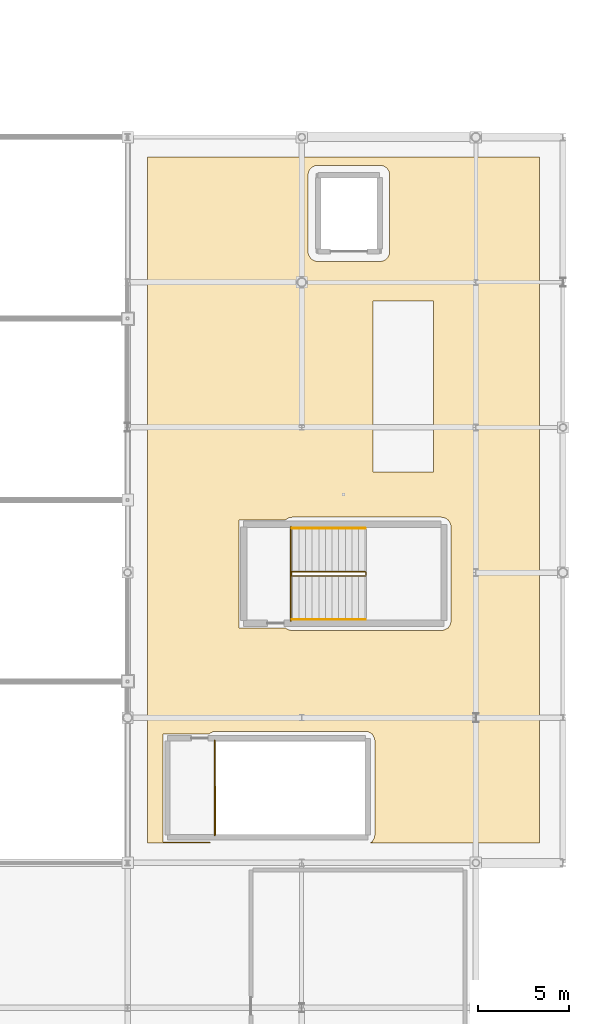
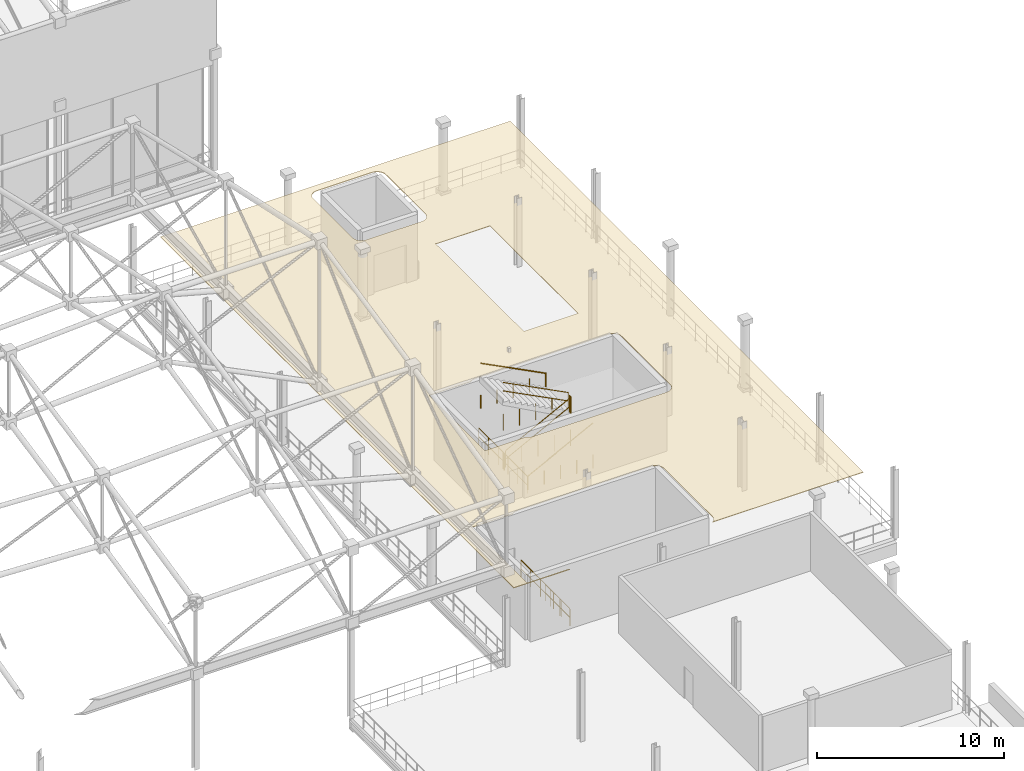
# One storey, part 188 of 193: 9 railings, 1 covering.
"""IFC4 building model written with IfcOpenShell, lengths in metres."""

from ifc_helpers import new_model, si_unit, direction, frame, origin, origin_2d, place, context, subcontext, project, spatial, polyline, circle, outline, extrude, material, layer, layer_set, type_object, element, save


model = new_model("IFC4")

# Units and contexts
model_context = context("Model", 3, precision=1e-05, world=origin(), true_north=direction((0.0, 1.0)))
body_context = subcontext(model_context, "Body", "Model", "MODEL_VIEW")
ifc_project = project(units=[si_unit("LENGTHUNIT", "METRE"), si_unit("AREAUNIT", "SQUARE_METRE"), si_unit("VOLUMEUNIT", "CUBIC_METRE"), si_unit("PLANEANGLEUNIT", "RADIAN"), si_unit("MASSUNIT", "GRAM", prefix="KILO")], contexts=[model_context])

# Site, building, storey
site_placement = place(None, origin())
site = spatial("IfcSite", under=ifc_project, at=site_placement, CompositionType="ELEMENT")
building_placement = place(site_placement, origin())
building = spatial("IfcBuilding", under=site, at=building_placement, Name="Danafjord Basin Convention Centre", CompositionType="ELEMENT")
storey_placement = place(building_placement, frame((0.0, 0.0, 11.39990234375)))
storey = spatial("IfcBuildingStorey", under=building, at=storey_placement, Name="L02", CompositionType="ELEMENT", Elevation=11.39990234375)

# Covering
ifc_material_1 = material(Name="Perforated Nordic birch acoustic slats")
ifc_layer = layer(ifc_material_1, 0.0400390625)
ifc_layer_set = layer_set([ifc_layer], Name="Perforated Nordic birch acoustic slats")
covering_type = type_object("IfcCoveringType", Name="COV-CLG-AC01", PredefinedType="CEILING", material=ifc_layer_set)
covering_placement = place(storey_placement, frame((0.0, 0.0, 3.989990234375)))
element("IfcCovering", 1, at=covering_placement, inside=storey, type_object=covering_type, Name="East Wing Delegate Banquet Hall acoustic ceiling", PredefinedType="CEILING", context=body_context, shape_type="SweptSolid", body=[
    extrude(outline(polyline([(214.699951171875, 78.89990234375), (214.699951171875, 41.10009765625), (205.381103515625, 41.10009765625), (205.385986328125, 41.10302734375), (205.428955078125, 41.135009765625), (205.446044921875, 41.14990234375), (205.489990234375, 41.14990234375), (205.489990234375, 41.194091796875), (205.5048828125, 41.2109375), (205.537109375, 41.25390625), (205.56494140625, 41.301025390625), (205.587890625, 41.35009765625), (205.60595703125, 41.39990234375), (205.618896484375, 41.452880859375), (205.626953125, 41.506103515625), (205.6298828125, 41.56005859375), (205.6298828125, 46.699951171875), (205.626953125, 46.75390625), (205.618896484375, 46.806884765625), (205.60595703125, 46.860107421875), (205.587890625, 46.909912109375), (205.56494140625, 46.958984375), (205.537109375, 47.006103515625), (205.5048828125, 47.049072265625), (205.489990234375, 47.06591796875), (205.489990234375, 47.110107421875), (205.446044921875, 47.110107421875), (205.428955078125, 47.125), (205.385986328125, 47.156982421875), (205.339111328125, 47.18505859375), (205.2900390625, 47.2080078125), (205.239990234375, 47.22607421875), (205.18701171875, 47.239013671875), (205.134033203125, 47.2470703125), (205.080078125, 47.25), (196.8798828125, 47.25), (196.825927734375, 47.2470703125), (196.77294921875, 47.239013671875), (196.719970703125, 47.22607421875), (196.669921875, 47.2080078125), (196.62109375, 47.18505859375), (196.573974609375, 47.156982421875), (196.531005859375, 47.125), (196.513916015625, 47.110107421875), (193.949951171875, 47.110107421875), (193.949951171875, 41.14990234375), (196.513916015625, 41.14990234375), (196.531005859375, 41.135009765625), (196.573974609375, 41.10302734375), (196.5791015625, 41.10009765625), (193.10009765625, 41.10009765625), (193.10009765625, 78.89990234375), (214.699951171875, 78.89990234375)]), holes=[polyline([(200.821044921875, 52.875), (200.8701171875, 52.85205078125), (200.919921875, 52.833984375), (200.972900390625, 52.821044921875), (201.02587890625, 52.81298828125), (201.080078125, 52.81005859375), (209.280029296875, 52.81005859375), (209.333984375, 52.81298828125), (209.386962890625, 52.821044921875), (209.43994140625, 52.833984375), (209.489990234375, 52.85205078125), (209.5390625, 52.875), (209.5859375, 52.903076171875), (209.62890625, 52.93505859375), (209.64599609375, 52.949951171875), (209.68994140625, 52.949951171875), (209.68994140625, 52.993896484375), (209.705078125, 53.010986328125), (209.737060546875, 53.053955078125), (209.764892578125, 53.10107421875), (209.7880859375, 53.14990234375), (209.805908203125, 53.199951171875), (209.819091796875, 53.2529296875), (209.826904296875, 53.305908203125), (209.830078125, 53.360107421875), (209.830078125, 58.5), (209.826904296875, 58.553955078125), (209.819091796875, 58.60693359375), (209.805908203125, 58.659912109375), (209.7880859375, 58.7099609375), (209.764892578125, 58.759033203125), (209.737060546875, 58.805908203125), (209.705078125, 58.84912109375), (209.68994140625, 58.865966796875), (209.68994140625, 58.909912109375), (209.64599609375, 58.909912109375), (209.62890625, 58.925048828125), (209.5859375, 58.95703125), (209.5390625, 58.985107421875), (209.489990234375, 59.008056640625), (209.43994140625, 59.02587890625), (209.386962890625, 59.0390625), (209.333984375, 59.047119140625), (209.280029296875, 59.050048828125), (201.080078125, 59.050048828125), (201.02587890625, 59.047119140625), (200.972900390625, 59.0390625), (200.919921875, 59.02587890625), (200.8701171875, 59.008056640625), (200.821044921875, 58.985107421875), (200.77392578125, 58.95703125), (200.73095703125, 58.925048828125), (200.714111328125, 58.909912109375), (198.14990234375, 58.909912109375), (198.14990234375, 52.949951171875), (200.714111328125, 52.949951171875), (200.73095703125, 52.93505859375), (200.77392578125, 52.903076171875), (200.821044921875, 52.875)]), polyline([(205.52490234375, 61.550048828125), (208.875, 61.550048828125), (208.875, 70.97509765625), (205.52490234375, 70.97509765625), (205.52490234375, 61.550048828125)]), polyline([(202.240966796875, 73.215087890625), (202.2900390625, 73.19189453125), (202.340087890625, 73.174072265625), (202.39306640625, 73.160888671875), (202.446044921875, 73.153076171875), (202.5, 73.14990234375), (205.89990234375, 73.14990234375), (205.9541015625, 73.153076171875), (206.007080078125, 73.160888671875), (206.06005859375, 73.174072265625), (206.110107421875, 73.19189453125), (206.158935546875, 73.215087890625), (206.2060546875, 73.242919921875), (206.2490234375, 73.27490234375), (206.2890625, 73.31103515625), (206.324951171875, 73.35107421875), (206.35693359375, 73.39404296875), (206.385009765625, 73.44091796875), (206.407958984375, 73.489990234375), (206.426025390625, 73.5400390625), (206.43896484375, 73.593017578125), (206.447021484375, 73.64599609375), (206.449951171875, 73.699951171875), (206.449951171875, 77.89990234375), (206.447021484375, 77.9541015625), (206.43896484375, 78.007080078125), (206.426025390625, 78.06005859375), (206.407958984375, 78.110107421875), (206.385009765625, 78.158935546875), (206.35693359375, 78.2060546875), (206.324951171875, 78.2490234375), (206.2890625, 78.2890625), (206.2490234375, 78.324951171875), (206.2060546875, 78.35693359375), (206.158935546875, 78.385009765625), (206.110107421875, 78.407958984375), (206.06005859375, 78.426025390625), (206.007080078125, 78.43896484375), (205.9541015625, 78.447021484375), (205.89990234375, 78.449951171875), (202.5, 78.449951171875), (202.446044921875, 78.447021484375), (202.39306640625, 78.43896484375), (202.340087890625, 78.426025390625), (202.2900390625, 78.407958984375), (202.240966796875, 78.385009765625), (202.194091796875, 78.35693359375), (202.15087890625, 78.324951171875), (202.111083984375, 78.2890625), (202.074951171875, 78.2490234375), (202.04296875, 78.2060546875), (202.014892578125, 78.158935546875), (201.991943359375, 78.110107421875), (201.97412109375, 78.06005859375), (201.9609375, 78.007080078125), (201.952880859375, 77.9541015625), (201.949951171875, 77.89990234375), (201.949951171875, 73.699951171875), (201.952880859375, 73.64599609375), (201.9609375, 73.593017578125), (201.97412109375, 73.5400390625), (201.991943359375, 73.489990234375), (202.014892578125, 73.44091796875), (202.04296875, 73.39404296875), (202.074951171875, 73.35107421875), (202.111083984375, 73.31103515625), (202.15087890625, 73.27490234375), (202.194091796875, 73.242919921875), (202.240966796875, 73.215087890625)])]), origin(), (0.0, 0.0, 1.0), 0.0400390625),
])

# Railings
ifc_material_2 = material(Name="Galvanised and powder-coated steel S355", Category="steel")
railing_type_1 = type_object("IfcRailingType", Name="RL-BAL-STL", PredefinedType="BALUSTRADE", material=ifc_material_2)
railing_1_placement = place(storey_placement, frame((201.0, 58.52490234375, 0.0)))
element("IfcRailing", 2, at=railing_1_placement, inside=storey, type_object=railing_type_1, Name="L02 safety guard balustrade 139", PredefinedType="BALUSTRADE", context=body_context, shape_type="SweptSolid", body=[
    extrude(circle(Radius=0.02392578125, at=origin_2d()), frame((0.0, 0.0, 1.1259765625), z_axis=(0.0, -1.0, 0.0), x_axis=(1.0, 0.0, 0.0)), (0.0, 0.0, 1.0), 5.18994140625),
    extrude(circle(Radius=0.02392578125, at=origin_2d()), frame((0.0, 0.0, 0.55078125), z_axis=(0.0, -1.0, 0.0), x_axis=(1.0, 0.0, 0.0)), (0.0, 0.0, 1.0), 5.18994140625),
    extrude(circle(Radius=0.02099609375, at=origin_2d()), origin(), (0.0, 0.0, 1.0), 1.099853515625),
    extrude(circle(Radius=0.02099609375, at=origin_2d()), frame((0.0, -1.0380859375, 0.0)), (0.0, 0.0, 1.0), 1.099853515625),
    extrude(circle(Radius=0.02099609375, at=origin_2d()), frame((0.0, -2.075927734375, 0.0)), (0.0, 0.0, 1.0), 1.099853515625),
    extrude(circle(Radius=0.02099609375, at=origin_2d()), frame((0.0, -3.114013671875, 0.0)), (0.0, 0.0, 1.0), 1.099853515625),
    extrude(circle(Radius=0.02099609375, at=origin_2d()), frame((0.0, -4.15185546875, 0.0)), (0.0, 0.0, 1.0), 1.099853515625),
    extrude(circle(Radius=0.02099609375, at=origin_2d()), frame((0.0, -5.18994140625, 0.0)), (0.0, 0.0, 1.0), 1.099853515625),
])
railing_2_placement = place(storey_placement, frame((196.800048828125, 46.75, 0.0)))
element("IfcRailing", 3, at=railing_2_placement, inside=storey, type_object=railing_type_1, Name="L02 safety guard balustrade 143", PredefinedType="BALUSTRADE", context=body_context, shape_type="SweptSolid", body=[
    extrude(circle(Radius=0.02392578125, at=origin_2d()), frame((0.0, 0.0, 1.1259765625), z_axis=(0.0, -1.0, 0.0), x_axis=(1.0, 0.0, 0.0)), (0.0, 0.0, 1.0), 5.239990234375),
    extrude(circle(Radius=0.02392578125, at=origin_2d()), frame((0.0, 0.0, 0.55078125), z_axis=(0.0, -1.0, 0.0), x_axis=(1.0, 0.0, 0.0)), (0.0, 0.0, 1.0), 5.239990234375),
    extrude(circle(Radius=0.02099609375, at=origin_2d()), origin(), (0.0, 0.0, 1.0), 1.099853515625),
    extrude(circle(Radius=0.02099609375, at=origin_2d()), frame((0.0, -1.048095703125, 0.0)), (0.0, 0.0, 1.0), 1.099853515625),
    extrude(circle(Radius=0.02099609375, at=origin_2d()), frame((0.0, -2.095947265625, 0.0)), (0.0, 0.0, 1.0), 1.099853515625),
    extrude(circle(Radius=0.02099609375, at=origin_2d()), frame((0.0, -3.14404296875, 0.0)), (0.0, 0.0, 1.0), 1.099853515625),
    extrude(circle(Radius=0.02099609375, at=origin_2d()), frame((0.0, -4.19189453125, 0.0)), (0.0, 0.0, 1.0), 1.099853515625),
    extrude(circle(Radius=0.02099609375, at=origin_2d()), frame((0.0, -5.239990234375, 0.0)), (0.0, 0.0, 1.0), 1.099853515625),
])
ifc_material_3 = material(Name="Galvanised steel S355", Category="steel")
railing_type_2 = type_object("IfcRailingType", Name="RL-GD-WELL", PredefinedType="BALUSTRADE", material=ifc_material_3)
railing_3_placement = place(storey_placement, frame((201.080078125, 55.81005859375, 0.1875)))
element("IfcRailing", 4, at=railing_3_placement, inside=storey, type_object=railing_type_2, Name="L02 ST-13 stair guard 1", PredefinedType="BALUSTRADE", context=body_context, shape_type="SweptSolid", body=[
    extrude(circle(Radius=0.02392578125, at=origin_2d()), frame((0.0, 0.0, 1.076171875), z_axis=(0.889495128042, 0.0, 0.456944654405), x_axis=(0.0, 1.0, 0.0)), (0.0, 0.0, 1.0), 4.513671875),
    extrude(circle(Radius=0.02392578125, at=origin_2d()), frame((0.0, 0.0, 0.52587890625), z_axis=(0.889495128042, 0.0, 0.456944654405), x_axis=(0.0, 1.0, 0.0)), (0.0, 0.0, 1.0), 4.513671875),
    extrude(circle(Radius=0.02099609375, at=origin_2d()), origin(), (0.0, 0.0, 1.0), 1.050048828125),
    extrude(circle(Radius=0.02099609375, at=origin_2d()), frame((1.003662109375, 0.0, 0.0)), (0.0, 0.0, 1.0), 1.050048828125),
    extrude(circle(Radius=0.02099609375, at=origin_2d()), frame((2.00732421875, 0.0, 0.0)), (0.0, 0.0, 1.0), 1.050048828125),
    extrude(circle(Radius=0.02099609375, at=origin_2d()), frame((3.01123046875, 0.0, 0.0)), (0.0, 0.0, 1.0), 1.050048828125),
    extrude(circle(Radius=0.02099609375, at=origin_2d()), frame((4.014892578125, 0.0, 0.0)), (0.0, 0.0, 1.0), 1.050048828125),
])
railing_4_placement = place(storey_placement, frame((205.14501953125, 55.860107421875, 2.25)))
element("IfcRailing", 5, at=railing_4_placement, inside=storey, type_object=railing_type_2, Name="L02 ST-13 stair guard 2", PredefinedType="BALUSTRADE", context=body_context, shape_type="SweptSolid", body=[
    extrude(circle(Radius=0.02392578125, at=origin_2d()), frame((0.0, 0.0, 1.076171875), z_axis=(0.0, 1.0, 0.0), x_axis=(-1.0, 0.0, 0.0)), (0.0, 0.0, 1.0), 0.139892578125),
    extrude(circle(Radius=0.02392578125, at=origin_2d()), frame((0.0, 0.0, 0.52587890625), z_axis=(0.0, 1.0, 0.0), x_axis=(-1.0, 0.0, 0.0)), (0.0, 0.0, 1.0), 0.139892578125),
    extrude(circle(Radius=0.02099609375, at=origin_2d()), origin(), (0.0, 0.0, 1.0), 1.050048828125),
    extrude(circle(Radius=0.02099609375, at=origin_2d()), frame((0.0, 0.139892578125, 0.0)), (0.0, 0.0, 1.0), 1.050048828125),
])
railing_5_placement = place(storey_placement, frame((205.094970703125, 56.050048828125, 2.4375)))
element("IfcRailing", 6, at=railing_5_placement, inside=storey, type_object=railing_type_2, Name="L02 ST-13 stair guard 3", PredefinedType="BALUSTRADE", context=body_context, shape_type="SweptSolid", body=[
    extrude(circle(Radius=0.02392578125, at=origin_2d()), frame((0.0, 0.0, 1.076171875), z_axis=(-0.889495128042, 0.0, 0.456944654405), x_axis=(0.0, -1.0, 0.0)), (0.0, 0.0, 1.0), 4.513671875),
    extrude(circle(Radius=0.02392578125, at=origin_2d()), frame((0.0, 0.0, 0.52587890625), z_axis=(-0.889495128042, 0.0, 0.456944654405), x_axis=(0.0, -1.0, 0.0)), (0.0, 0.0, 1.0), 4.513671875),
    extrude(circle(Radius=0.02099609375, at=origin_2d()), origin(), (0.0, 0.0, 1.0), 1.050048828125),
    extrude(circle(Radius=0.02099609375, at=origin_2d()), frame((-1.003662109375, 0.0, 0.0)), (0.0, 0.0, 1.0), 1.050048828125),
    extrude(circle(Radius=0.02099609375, at=origin_2d()), frame((-2.00732421875, 0.0, 0.0)), (0.0, 0.0, 1.0), 1.050048828125),
    extrude(circle(Radius=0.02099609375, at=origin_2d()), frame((-3.01123046875, 0.0, 0.0)), (0.0, 0.0, 1.0), 1.050048828125),
    extrude(circle(Radius=0.02099609375, at=origin_2d()), frame((-4.014892578125, 0.0, 0.0)), (0.0, 0.0, 1.0), 1.050048828125),
])
railing_6_placement = place(storey_placement, frame((201.030029296875, 55.860107421875, 0.0)))
element("IfcRailing", 7, at=railing_6_placement, inside=storey, type_object=railing_type_2, Name="L02 ST-13 stair guard 4", PredefinedType="BALUSTRADE", context=body_context, shape_type="SweptSolid", body=[
    extrude(circle(Radius=0.02392578125, at=origin_2d()), frame((0.0, 0.0, 1.076171875), z_axis=(0.0, 1.0, 0.0), x_axis=(-1.0, 0.0, 0.0)), (0.0, 0.0, 1.0), 0.139892578125),
    extrude(circle(Radius=0.02392578125, at=origin_2d()), frame((0.0, 0.0, 0.52587890625), z_axis=(0.0, 1.0, 0.0), x_axis=(-1.0, 0.0, 0.0)), (0.0, 0.0, 1.0), 0.139892578125),
    extrude(circle(Radius=0.02099609375, at=origin_2d()), origin(), (0.0, 0.0, 1.0), 1.050048828125),
    extrude(circle(Radius=0.02099609375, at=origin_2d()), frame((0.0, 0.139892578125, 0.0)), (0.0, 0.0, 1.0), 1.050048828125),
])
railing_7_placement = place(storey_placement, frame((196.830078125, 41.56005859375, 0.0)))
element("IfcRailing", 8, at=railing_7_placement, inside=storey, type_object=railing_type_2, Name="L02 ST-14 top well guard 1", PredefinedType="BALUSTRADE", context=body_context, shape_type="SweptSolid", body=[
    extrude(circle(Radius=0.02392578125, at=origin_2d()), frame((0.0, 0.0, 1.076171875), z_axis=(0.0, 1.0, 0.0), x_axis=(-1.0, 0.0, 0.0)), (0.0, 0.0, 1.0), 2.639892578125),
    extrude(circle(Radius=0.02392578125, at=origin_2d()), frame((0.0, 0.0, 0.52587890625), z_axis=(0.0, 1.0, 0.0), x_axis=(-1.0, 0.0, 0.0)), (0.0, 0.0, 1.0), 2.639892578125),
    extrude(circle(Radius=0.02099609375, at=origin_2d()), origin(), (0.0, 0.0, 1.0), 1.050048828125),
    extrude(circle(Radius=0.02099609375, at=origin_2d()), frame((0.0, 0.8798828125, 0.0)), (0.0, 0.0, 1.0), 1.050048828125),
    extrude(circle(Radius=0.02099609375, at=origin_2d()), frame((0.0, 1.760009765625, 0.0)), (0.0, 0.0, 1.0), 1.050048828125),
    extrude(circle(Radius=0.02099609375, at=origin_2d()), frame((0.0, 2.639892578125, 0.0)), (0.0, 0.0, 1.0), 1.050048828125),
])
ifc_material_4 = material(Name="Brushed stainless steel EN 1.4404", Category="steel")
railing_type_3 = type_object("IfcRailingType", Name="RL-HR-STAIR", PredefinedType="HANDRAIL", material=ifc_material_4)
railing_8_placement = place(storey_placement, frame((201.080078125, 53.409912109375, 0.1875)))
element("IfcRailing", 9, at=railing_8_placement, inside=storey, type_object=railing_type_3, Name="L02 ST-13 stair handrail 1", PredefinedType="HANDRAIL", context=body_context, shape_type="SweptSolid", body=[
    extrude(circle(Radius=0.02392578125, at=origin_2d()), frame((0.0, 0.0, 0.8759765625), z_axis=(0.889495128042, 0.0, 0.456944654405), x_axis=(0.0, 1.0, 0.0)), (0.0, 0.0, 1.0), 4.513671875),
    extrude(circle(Radius=0.02099609375, at=origin_2d()), origin(), (0.0, 0.0, 1.0), 0.849853515625),
    extrude(circle(Radius=0.02099609375, at=origin_2d()), frame((1.003662109375, 0.0, 0.0)), (0.0, 0.0, 1.0), 0.849853515625),
    extrude(circle(Radius=0.02099609375, at=origin_2d()), frame((2.00732421875, 0.0, 0.0)), (0.0, 0.0, 1.0), 0.849853515625),
    extrude(circle(Radius=0.02099609375, at=origin_2d()), frame((3.01123046875, 0.0, 0.0)), (0.0, 0.0, 1.0), 0.849853515625),
    extrude(circle(Radius=0.02099609375, at=origin_2d()), frame((4.014892578125, 0.0, 0.0)), (0.0, 0.0, 1.0), 0.849853515625),
])
railing_9_placement = place(storey_placement, frame((205.094970703125, 58.449951171875, 2.4375)))
element("IfcRailing", 10, at=railing_9_placement, inside=storey, type_object=railing_type_3, Name="L02 ST-13 stair handrail 2", PredefinedType="HANDRAIL", context=body_context, shape_type="SweptSolid", body=[
    extrude(circle(Radius=0.02392578125, at=origin_2d()), frame((0.0, 0.0, 0.8759765625), z_axis=(-0.889495128042, 0.0, 0.456944654405), x_axis=(0.0, -1.0, 0.0)), (0.0, 0.0, 1.0), 4.513671875),
    extrude(circle(Radius=0.02099609375, at=origin_2d()), origin(), (0.0, 0.0, 1.0), 0.849853515625),
    extrude(circle(Radius=0.02099609375, at=origin_2d()), frame((-1.003662109375, 0.0, 0.0)), (0.0, 0.0, 1.0), 0.849853515625),
    extrude(circle(Radius=0.02099609375, at=origin_2d()), frame((-2.00732421875, 0.0, 0.0)), (0.0, 0.0, 1.0), 0.849853515625),
    extrude(circle(Radius=0.02099609375, at=origin_2d()), frame((-3.01123046875, 0.0, 0.0)), (0.0, 0.0, 1.0), 0.849853515625),
    extrude(circle(Radius=0.02099609375, at=origin_2d()), frame((-4.014892578125, 0.0, 0.0)), (0.0, 0.0, 1.0), 0.849853515625),
])

save(model, "model.ifc")
